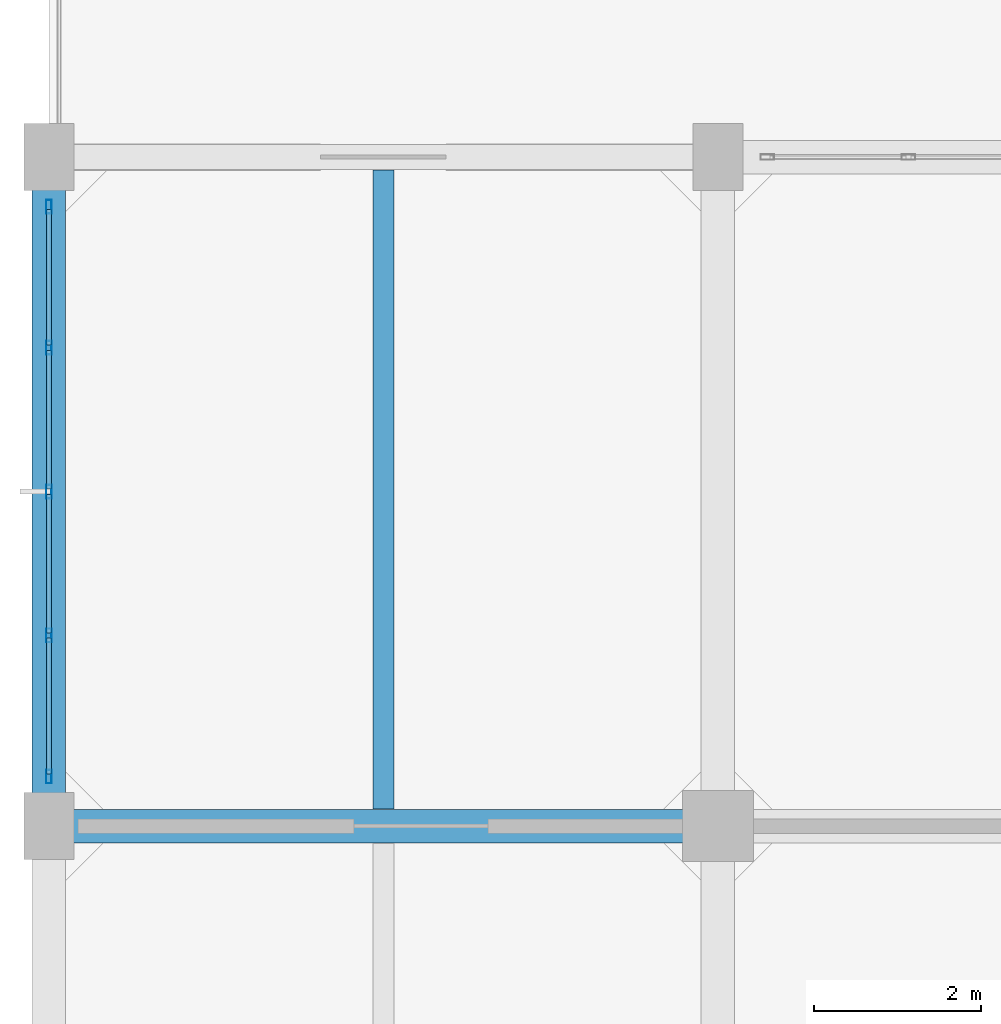
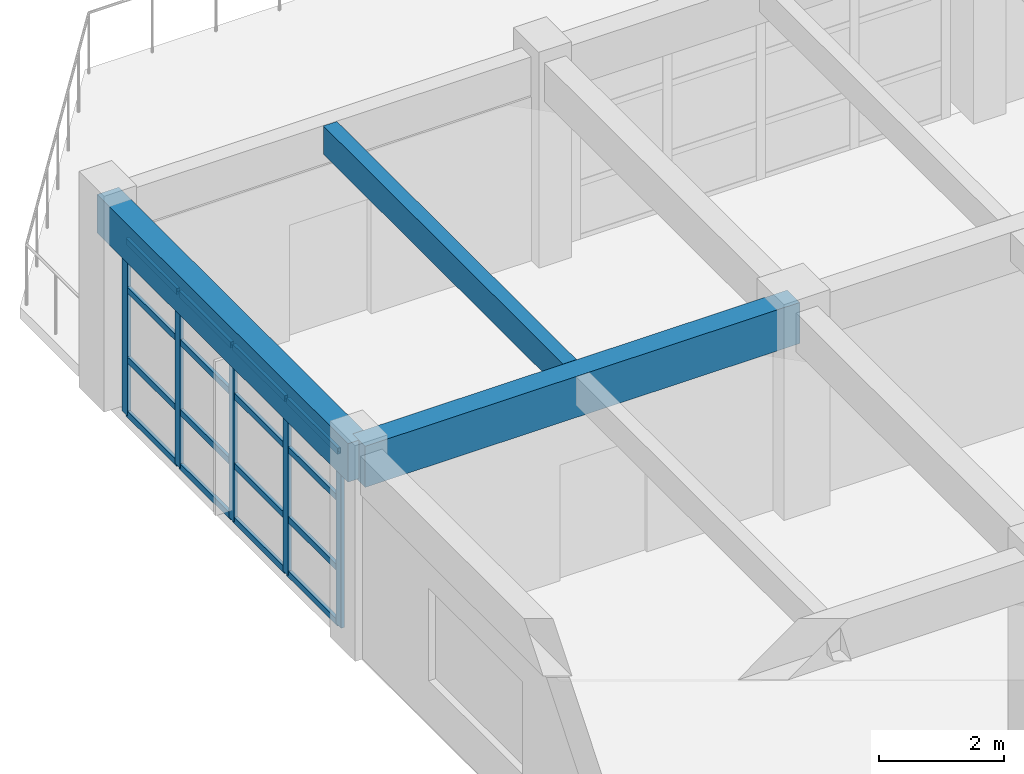
# One storey, part 15 of 30: 21 members, 3 beams, 1 element without a shape of its own.
"""IFC4 building model written with IfcOpenShell, lengths in metres."""

from ifc_helpers import new_model, si_unit, direction, frame, origin, origin_2d, place, context, subcontext, project, spatial, rectangle, hollow_rectangle, extrude, material, layer, layer_set, material_profile, profile_set, type_object, element, aggregate, save


model = new_model("IFC4")

# Units and contexts
model_context = context("Model", 3, precision=1e-05, world=origin(), true_north=direction((0.0, 1.0)))
body_context = subcontext(model_context, "Body", "Model", "MODEL_VIEW")
ifc_project = project(units=[si_unit("LENGTHUNIT", "METRE"), si_unit("AREAUNIT", "SQUARE_METRE"), si_unit("VOLUMEUNIT", "CUBIC_METRE"), si_unit("PLANEANGLEUNIT", "RADIAN"), si_unit("MASSUNIT", "GRAM", prefix="KILO")], contexts=[model_context])

# Site, building, storey
site_placement = place(None, origin())
site = spatial("IfcSite", under=ifc_project, at=site_placement, CompositionType="ELEMENT")
building_placement = place(site_placement, origin())
building = spatial("IfcBuilding", under=site, at=building_placement, Name="Canggui Botanical Conservatory", CompositionType="ELEMENT")
storey_placement = place(building_placement, frame((0.0, 0.0, 19.199951171875)))
storey = spatial("IfcBuildingStorey", under=building, at=storey_placement, Name="L05", CompositionType="ELEMENT", Elevation=19.199951171875)

# Beams
ifc_material_1 = material(Name="Concrete C35", Category="concrete")
ifc_material_profile_1 = material_profile(ifc_material_1, rectangle(XDim=0.25, YDim=0.550048828125, at=origin_2d()), Name="RB 250x550")
ifc_profile_set_1 = profile_set([ifc_material_profile_1], Name="Concrete C35")
beam_type_1 = type_object("IfcBeamType", Name="BM-JST03", PredefinedType="JOIST", material=ifc_profile_set_1)
beam_1_placement = place(storey_placement, frame((142.0, 66.205078125, 3.68505859375), z_axis=(0.0, 1.0, 0.0), x_axis=(-1.0, 0.0, 0.0)))
element("IfcBeam", 1, at=beam_1_placement, inside=storey, type_object=beam_type_1, Name="Secondary Floor Joist L05-1-6", PredefinedType="JOIST", context=body_context, shape_type="SweptSolid", body=[
    extrude(rectangle(XDim=0.25, YDim=0.550048828125, at=origin_2d()), origin(), (0.0, 0.0, 1.0), 7.639892578125),
])
ifc_material_profile_2 = material_profile(ifc_material_1, rectangle(XDim=0.39990234375, YDim=0.800048828125, at=origin_2d()), Name="RB 400x800")
ifc_profile_set_2 = profile_set([ifc_material_profile_2], Name="Concrete C35")
beam_type_2 = type_object("IfcBeamType", Name="BM-KL09", PredefinedType="BEAM", material=ifc_profile_set_2)
beam_2_placement = place(storey_placement, frame((138.0, 66.0, 3.56005859375), z_axis=(1.0, 0.0, 0.0), x_axis=(0.0, 1.0, 0.0)))
element("IfcBeam", 2, at=beam_2_placement, inside=storey, type_object=beam_type_2, Name="Frame Girder L05 Y66-1", PredefinedType="BEAM", context=body_context, shape_type="SweptSolid", body=[
    extrude(rectangle(XDim=0.39990234375, YDim=0.800048828125, at=origin_2d()), origin(), (0.0, 0.0, 1.0), 8.0),
])
ifc_material_profile_3 = material_profile(ifc_material_1, rectangle(XDim=0.39990234375, YDim=0.75, at=origin_2d()), Name="RB 400x750")
ifc_profile_set_3 = profile_set([ifc_material_profile_3], Name="Concrete C35")
beam_type_3 = type_object("IfcBeamType", Name="BM-KL10", PredefinedType="BEAM", material=ifc_profile_set_3)
beam_3_placement = place(storey_placement, frame((138.0, 66.0, 3.5849609375), z_axis=(0.0, 1.0, 0.0), x_axis=(-1.0, 0.0, 0.0)))
element("IfcBeam", 3, at=beam_3_placement, inside=storey, type_object=beam_type_3, Name="Frame Girder L05 X138-6", PredefinedType="BEAM", context=body_context, shape_type="SweptSolid", body=[
    extrude(rectangle(XDim=0.39990234375, YDim=0.75, at=origin_2d()), origin(), (0.0, 0.0, 1.0), 8.0),
])

# Curtain wall, members
ifc_material_2 = material(Name="Thermally Broken Aluminium", Category="aluminium")
ifc_layer = layer(ifc_material_2, 0.1650390625, Name="Thermally Broken Aluminium", Category="aluminium")
ifc_layer_set = layer_set([ifc_layer], Name="Thermally Broken Aluminium")
curtain_wall_type = type_object("IfcCurtainWallType", Name="CW-UNIT-B", PredefinedType="USERDEFINED", material=ifc_layer_set)
curtain_wall_placement = place(storey_placement, origin())
curtain_wall = element("IfcCurtainWall", 4, at=curtain_wall_placement, inside=storey, type_object=curtain_wall_type, Name="Facade Curtain Wall CW-TWR-L05-11", ObjectType="UNITISED CURTAIN WALL", PredefinedType="USERDEFINED")
ifc_material_profile_4 = material_profile(ifc_material_2, hollow_rectangle(XDim=0.06494140625, YDim=0.1650390625, WallThickness=0.00390625, at=origin_2d()), Name="CWM 65x165x4")
ifc_profile_set_4 = profile_set([ifc_material_profile_4], Name="Thermally Broken Aluminium")
member_type_1 = type_object("IfcMemberType", Name="CWM-02", PredefinedType="MULLION", material=ifc_profile_set_4)
member_1_placement = place(storey_placement, frame((138.0, 66.592529296875, 0.0), z_axis=(0.0, 0.0, 1.0), x_axis=(-1.0, 0.0, 0.0)))
member_1 = element("IfcMember", 5, at=member_1_placement, type_object=member_type_1, Name="CW-02 mullion 1", PredefinedType="MULLION", context=body_context, shape_type="SweptSolid", body=[
    extrude(hollow_rectangle(XDim=0.06494140625, YDim=0.1650390625, WallThickness=0.00390625, at=origin_2d()), origin(), (0.0, 0.0, 1.0), 3.400146484375),
])
member_2_placement = place(storey_placement, frame((138.0, 68.280029296875, 0.0), z_axis=(0.0, 0.0, 1.0), x_axis=(-1.0, 0.0, 0.0)))
member_2 = element("IfcMember", 6, at=member_2_placement, type_object=member_type_1, Name="CW-02 mullion 2", PredefinedType="MULLION", context=body_context, shape_type="SweptSolid", body=[
    extrude(hollow_rectangle(XDim=0.06494140625, YDim=0.1650390625, WallThickness=0.00390625, at=origin_2d()), origin(), (0.0, 0.0, 1.0), 3.400146484375),
])
member_3_placement = place(storey_placement, frame((138.0, 70.0, 0.0), z_axis=(0.0, 0.0, 1.0), x_axis=(-1.0, 0.0, 0.0)))
member_3 = element("IfcMember", 7, at=member_3_placement, type_object=member_type_1, Name="CW-02 mullion 3", PredefinedType="MULLION", context=body_context, shape_type="SweptSolid", body=[
    extrude(hollow_rectangle(XDim=0.06494140625, YDim=0.1650390625, WallThickness=0.00390625, at=origin_2d()), origin(), (0.0, 0.0, 1.0), 3.400146484375),
])
member_4_placement = place(storey_placement, frame((138.0, 71.719970703125, 0.0), z_axis=(0.0, 0.0, 1.0), x_axis=(-1.0, 0.0, 0.0)))
member_4 = element("IfcMember", 8, at=member_4_placement, type_object=member_type_1, Name="CW-02 mullion 4", PredefinedType="MULLION", context=body_context, shape_type="SweptSolid", body=[
    extrude(hollow_rectangle(XDim=0.06494140625, YDim=0.1650390625, WallThickness=0.00390625, at=origin_2d()), origin(), (0.0, 0.0, 1.0), 3.400146484375),
])
member_5_placement = place(storey_placement, frame((138.0, 73.407470703125, 0.0), z_axis=(0.0, 0.0, 1.0), x_axis=(-1.0, 0.0, 0.0)))
member_5 = element("IfcMember", 9, at=member_5_placement, type_object=member_type_1, Name="CW-02 mullion 5", PredefinedType="MULLION", context=body_context, shape_type="SweptSolid", body=[
    extrude(hollow_rectangle(XDim=0.06494140625, YDim=0.1650390625, WallThickness=0.00390625, at=origin_2d()), origin(), (0.0, 0.0, 1.0), 3.400146484375),
])
ifc_material_profile_5 = material_profile(ifc_material_2, hollow_rectangle(XDim=0.06005859375, YDim=0.1201171875, WallThickness=0.00341796875, at=origin_2d()), Name="CWT 60x120x3.5")
ifc_profile_set_5 = profile_set([ifc_material_profile_5], Name="Thermally Broken Aluminium")
member_type_2 = type_object("IfcMemberType", Name="CWT-02", PredefinedType="USERDEFINED", material=ifc_profile_set_5)
member_6_placement = place(storey_placement, frame((138.0, 66.625, 0.030029296875), z_axis=(0.0, 1.0, 0.0), x_axis=(-1.0, 0.0, 0.0)))
member_6 = element("IfcMember", 10, at=member_6_placement, type_object=member_type_2, Name="CW-02 transom 1.1", ObjectType="TRANSOM", PredefinedType="USERDEFINED", context=body_context, shape_type="SweptSolid", body=[
    extrude(hollow_rectangle(XDim=0.06005859375, YDim=0.1201171875, WallThickness=0.00341796875, at=origin_2d()), origin(), (0.0, 0.0, 1.0), 1.62255859375),
])
member_7_placement = place(storey_placement, frame((138.0, 66.625, 1.088134765625), z_axis=(0.0, 1.0, 0.0), x_axis=(-1.0, 0.0, 0.0)))
member_7 = element("IfcMember", 11, at=member_7_placement, type_object=member_type_2, Name="CW-02 transom 1.2", ObjectType="TRANSOM", PredefinedType="USERDEFINED", context=body_context, shape_type="SweptSolid", body=[
    extrude(hollow_rectangle(XDim=0.06005859375, YDim=0.1201171875, WallThickness=0.00341796875, at=origin_2d()), origin(), (0.0, 0.0, 1.0), 1.62255859375),
])
member_8_placement = place(storey_placement, frame((138.0, 66.625, 2.447998046875), z_axis=(0.0, 1.0, 0.0), x_axis=(-1.0, 0.0, 0.0)))
member_8 = element("IfcMember", 12, at=member_8_placement, type_object=member_type_2, Name="CW-02 transom 1.3", ObjectType="TRANSOM", PredefinedType="USERDEFINED", context=body_context, shape_type="SweptSolid", body=[
    extrude(hollow_rectangle(XDim=0.06005859375, YDim=0.1201171875, WallThickness=0.00341796875, at=origin_2d()), origin(), (0.0, 0.0, 1.0), 1.62255859375),
])
member_9_placement = place(storey_placement, frame((138.0, 66.625, 3.3701171875), z_axis=(0.0, 1.0, 0.0), x_axis=(-1.0, 0.0, 0.0)))
member_9 = element("IfcMember", 13, at=member_9_placement, type_object=member_type_2, Name="CW-02 transom 1.4", ObjectType="TRANSOM", PredefinedType="USERDEFINED", context=body_context, shape_type="SweptSolid", body=[
    extrude(hollow_rectangle(XDim=0.06005859375, YDim=0.1201171875, WallThickness=0.00341796875, at=origin_2d()), origin(), (0.0, 0.0, 1.0), 1.62255859375),
])
member_10_placement = place(storey_placement, frame((138.0, 68.3125, 0.030029296875), z_axis=(0.0, 1.0, 0.0), x_axis=(-1.0, 0.0, 0.0)))
member_10 = element("IfcMember", 14, at=member_10_placement, type_object=member_type_2, Name="CW-02 transom 2.1", ObjectType="TRANSOM", PredefinedType="USERDEFINED", context=body_context, shape_type="SweptSolid", body=[
    extrude(hollow_rectangle(XDim=0.06005859375, YDim=0.1201171875, WallThickness=0.00341796875, at=origin_2d()), origin(), (0.0, 0.0, 1.0), 1.655029296875),
])
member_11_placement = place(storey_placement, frame((138.0, 68.3125, 1.088134765625), z_axis=(0.0, 1.0, 0.0), x_axis=(-1.0, 0.0, 0.0)))
member_11 = element("IfcMember", 15, at=member_11_placement, type_object=member_type_2, Name="CW-02 transom 2.2", ObjectType="TRANSOM", PredefinedType="USERDEFINED", context=body_context, shape_type="SweptSolid", body=[
    extrude(hollow_rectangle(XDim=0.06005859375, YDim=0.1201171875, WallThickness=0.00341796875, at=origin_2d()), origin(), (0.0, 0.0, 1.0), 1.655029296875),
])
member_12_placement = place(storey_placement, frame((138.0, 68.3125, 2.447998046875), z_axis=(0.0, 1.0, 0.0), x_axis=(-1.0, 0.0, 0.0)))
member_12 = element("IfcMember", 16, at=member_12_placement, type_object=member_type_2, Name="CW-02 transom 2.3", ObjectType="TRANSOM", PredefinedType="USERDEFINED", context=body_context, shape_type="SweptSolid", body=[
    extrude(hollow_rectangle(XDim=0.06005859375, YDim=0.1201171875, WallThickness=0.00341796875, at=origin_2d()), origin(), (0.0, 0.0, 1.0), 1.655029296875),
])
member_13_placement = place(storey_placement, frame((138.0, 68.3125, 3.3701171875), z_axis=(0.0, 1.0, 0.0), x_axis=(-1.0, 0.0, 0.0)))
member_13 = element("IfcMember", 17, at=member_13_placement, type_object=member_type_2, Name="CW-02 transom 2.4", ObjectType="TRANSOM", PredefinedType="USERDEFINED", context=body_context, shape_type="SweptSolid", body=[
    extrude(hollow_rectangle(XDim=0.06005859375, YDim=0.1201171875, WallThickness=0.00341796875, at=origin_2d()), origin(), (0.0, 0.0, 1.0), 1.655029296875),
])
member_14_placement = place(storey_placement, frame((138.0, 70.032470703125, 0.030029296875), z_axis=(0.0, 1.0, 0.0), x_axis=(-1.0, 0.0, 0.0)))
member_14 = element("IfcMember", 18, at=member_14_placement, type_object=member_type_2, Name="CW-02 transom 3.1", ObjectType="TRANSOM", PredefinedType="USERDEFINED", context=body_context, shape_type="SweptSolid", body=[
    extrude(hollow_rectangle(XDim=0.06005859375, YDim=0.1201171875, WallThickness=0.00341796875, at=origin_2d()), origin(), (0.0, 0.0, 1.0), 1.655029296875),
])
member_15_placement = place(storey_placement, frame((138.0, 70.032470703125, 1.088134765625), z_axis=(0.0, 1.0, 0.0), x_axis=(-1.0, 0.0, 0.0)))
member_15 = element("IfcMember", 19, at=member_15_placement, type_object=member_type_2, Name="CW-02 transom 3.2", ObjectType="TRANSOM", PredefinedType="USERDEFINED", context=body_context, shape_type="SweptSolid", body=[
    extrude(hollow_rectangle(XDim=0.06005859375, YDim=0.1201171875, WallThickness=0.00341796875, at=origin_2d()), origin(), (0.0, 0.0, 1.0), 1.655029296875),
])
member_16_placement = place(storey_placement, frame((138.0, 70.032470703125, 2.447998046875), z_axis=(0.0, 1.0, 0.0), x_axis=(-1.0, 0.0, 0.0)))
member_16 = element("IfcMember", 20, at=member_16_placement, type_object=member_type_2, Name="CW-02 transom 3.3", ObjectType="TRANSOM", PredefinedType="USERDEFINED", context=body_context, shape_type="SweptSolid", body=[
    extrude(hollow_rectangle(XDim=0.06005859375, YDim=0.1201171875, WallThickness=0.00341796875, at=origin_2d()), origin(), (0.0, 0.0, 1.0), 1.655029296875),
])
member_17_placement = place(storey_placement, frame((138.0, 70.032470703125, 3.3701171875), z_axis=(0.0, 1.0, 0.0), x_axis=(-1.0, 0.0, 0.0)))
member_17 = element("IfcMember", 21, at=member_17_placement, type_object=member_type_2, Name="CW-02 transom 3.4", ObjectType="TRANSOM", PredefinedType="USERDEFINED", context=body_context, shape_type="SweptSolid", body=[
    extrude(hollow_rectangle(XDim=0.06005859375, YDim=0.1201171875, WallThickness=0.00341796875, at=origin_2d()), origin(), (0.0, 0.0, 1.0), 1.655029296875),
])
member_18_placement = place(storey_placement, frame((138.0, 71.75244140625, 0.030029296875), z_axis=(0.0, 1.0, 0.0), x_axis=(-1.0, 0.0, 0.0)))
member_18 = element("IfcMember", 22, at=member_18_placement, type_object=member_type_2, Name="CW-02 transom 4.1", ObjectType="TRANSOM", PredefinedType="USERDEFINED", context=body_context, shape_type="SweptSolid", body=[
    extrude(hollow_rectangle(XDim=0.06005859375, YDim=0.1201171875, WallThickness=0.00341796875, at=origin_2d()), origin(), (0.0, 0.0, 1.0), 1.62255859375),
])
member_19_placement = place(storey_placement, frame((138.0, 71.75244140625, 1.088134765625), z_axis=(0.0, 1.0, 0.0), x_axis=(-1.0, 0.0, 0.0)))
member_19 = element("IfcMember", 23, at=member_19_placement, type_object=member_type_2, Name="CW-02 transom 4.2", ObjectType="TRANSOM", PredefinedType="USERDEFINED", context=body_context, shape_type="SweptSolid", body=[
    extrude(hollow_rectangle(XDim=0.06005859375, YDim=0.1201171875, WallThickness=0.00341796875, at=origin_2d()), origin(), (0.0, 0.0, 1.0), 1.62255859375),
])
member_20_placement = place(storey_placement, frame((138.0, 71.75244140625, 2.447998046875), z_axis=(0.0, 1.0, 0.0), x_axis=(-1.0, 0.0, 0.0)))
member_20 = element("IfcMember", 24, at=member_20_placement, type_object=member_type_2, Name="CW-02 transom 4.3", ObjectType="TRANSOM", PredefinedType="USERDEFINED", context=body_context, shape_type="SweptSolid", body=[
    extrude(hollow_rectangle(XDim=0.06005859375, YDim=0.1201171875, WallThickness=0.00341796875, at=origin_2d()), origin(), (0.0, 0.0, 1.0), 1.62255859375),
])
member_21_placement = place(storey_placement, frame((138.0, 71.75244140625, 3.3701171875), z_axis=(0.0, 1.0, 0.0), x_axis=(-1.0, 0.0, 0.0)))
member_21 = element("IfcMember", 25, at=member_21_placement, type_object=member_type_2, Name="CW-02 transom 4.4", ObjectType="TRANSOM", PredefinedType="USERDEFINED", context=body_context, shape_type="SweptSolid", body=[
    extrude(hollow_rectangle(XDim=0.06005859375, YDim=0.1201171875, WallThickness=0.00341796875, at=origin_2d()), origin(), (0.0, 0.0, 1.0), 1.62255859375),
])
aggregate(curtain_wall, [member_1, member_2, member_3, member_4, member_5, member_6, member_7, member_8, member_9, member_10, member_11, member_12, member_13, member_14, member_15, member_16, member_17, member_18, member_19, member_20, member_21])

save(model, "model.ifc")
